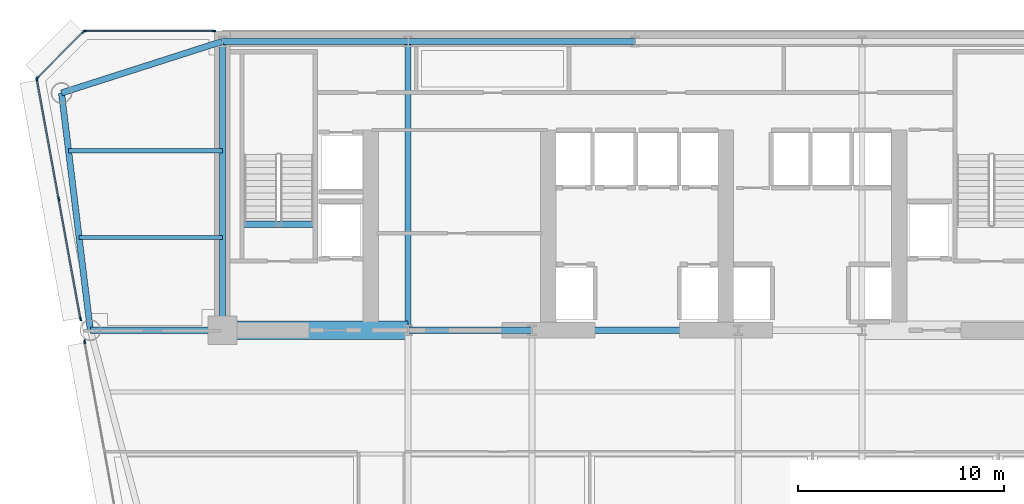
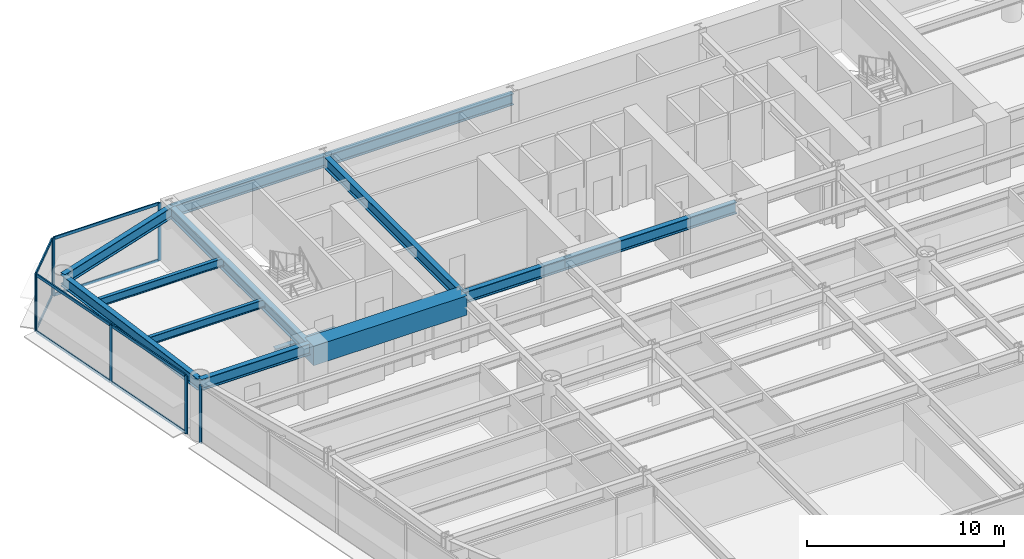
# One storey, part 5 of 14: 16 members, 13 beams, 4 elements without a shape of their own.
"""IFC4 building model written with IfcOpenShell, lengths in metres."""

from ifc_helpers import new_model, si_unit, direction, frame, origin, origin_2d, place, context, subcontext, project, spatial, rectangle, i_section, extrude, source, transform, mapped, material, layer, layer_set, material_profile, profile_set, type_object, element, aggregate, save


model = new_model("IFC4")

# Units and contexts
model_context = context("Model", 3, precision=1e-05, world=origin(), true_north=direction((0.0, 1.0)))
body_context = subcontext(model_context, "Body", "Model", "MODEL_VIEW")
ifc_project = project(units=[si_unit("LENGTHUNIT", "METRE"), si_unit("AREAUNIT", "SQUARE_METRE"), si_unit("VOLUMEUNIT", "CUBIC_METRE"), si_unit("PLANEANGLEUNIT", "RADIAN"), si_unit("MASSUNIT", "GRAM", prefix="KILO")], contexts=[model_context])

# Site, building, storey
site_placement = place(None, origin())
site = spatial("IfcSite", under=ifc_project, at=site_placement, CompositionType="ELEMENT")
building_placement = place(site_placement, origin())
building = spatial("IfcBuilding", under=site, at=building_placement, Name="Vaeldorn Concourse Tower", CompositionType="ELEMENT")
storey_placement = place(building_placement, frame((0.0, 0.0, 114.800048828125)))
storey = spatial("IfcBuildingStorey", under=building, at=storey_placement, Name="L29", CompositionType="ELEMENT", Elevation=114.800048828125)

# Beams
ifc_material_1 = material(Name="Concrete C60/75", Category="concrete")
ifc_material_profile_1 = material_profile(ifc_material_1, rectangle(XDim=0.89990234375, YDim=1.199951171875, at=origin_2d()), Name="RC 900x1200")
ifc_profile_set_1 = profile_set([ifc_material_profile_1], Name="Concrete C60/75")
beam_type_1 = type_object("IfcBeamType", Name="BM-CB-RC900", PredefinedType="BEAM", material=ifc_profile_set_1)
shared_shape_1 = source(origin(), body_context, "Body", "SweptSolid", [
    extrude(rectangle(XDim=0.89990234375, YDim=1.199951171875, at=origin_2d()), origin(), (0.0, 0.0, 1.0), 9.0),
])
beam_1_placement = place(storey_placement, frame((14.0, 36.5, 2.97998046875), z_axis=(1.0, 0.0, 0.0), x_axis=(0.0, 1.0, 0.0)))
element("IfcBeam", 1, at=beam_1_placement, inside=storey, type_object=beam_type_1, Name="Core Coupling Beam L29-1", PredefinedType="BEAM", context=body_context, shape_type="MappedRepresentation", body=[
    mapped(shared_shape_1, transform((0.0, 0.0, 0.0), scale=1.0)),
])
ifc_material_2 = material(Name="Steel S355", Category="steel")
ifc_material_profile_2 = material_profile(ifc_material_2, i_section(OverallWidth=0.300048828125, OverallDepth=0.340087890625, WebThickness=0.011962890625, FlangeThickness=0.021484375, FilletRadius=0.027099609375, at=origin_2d()), Name="HEB 340")
ifc_profile_set_2 = profile_set([ifc_material_profile_2], Name="Steel S355")
beam_type_2 = type_object("IfcBeamType", Name="BM-ST-TRIM", PredefinedType="BEAM", material=ifc_profile_set_2)
shared_shape_2 = source(origin(), body_context, "Body", "SweptSolid", [
    extrude(i_section(OverallWidth=0.300048828125, OverallDepth=0.340087890625, WebThickness=0.011962890625, FlangeThickness=0.021484375, FilletRadius=0.027099609375, at=origin_2d()), origin(), (0.0, 0.0, 1.0), 3.590087890625),
])
beam_2_placement = place(storey_placement, frame((14.929931640625, 41.639892578125, -0.39013671875), z_axis=(1.0, 0.0, 0.0), x_axis=(0.0, 1.0, 0.0)))
element("IfcBeam", 2, at=beam_2_placement, inside=storey, type_object=beam_type_2, Name="Stair Landing Trimmer Beam ST-1 L29", PredefinedType="BEAM", context=body_context, shape_type="MappedRepresentation", body=[
    mapped(shared_shape_2, transform((0.0, 0.0, 0.0), scale=1.0)),
])
ifc_material_profile_3 = material_profile(ifc_material_2, i_section(OverallWidth=0.199951171875, OverallDepth=0.5, WebThickness=0.01025390625, FlangeThickness=0.01611328125, FilletRadius=0.02099609375, at=origin_2d()), Name="IPE 500")
ifc_profile_set_3 = profile_set([ifc_material_profile_3], Name="Steel S355")
beam_type_3 = type_object("IfcBeamType", Name="BM-JS-IPE500", PredefinedType="JOIST", material=ifc_profile_set_3)
shared_shape_3 = source(origin(), body_context, "Body", "SweptSolid", [
    extrude(i_section(OverallWidth=0.199951171875, OverallDepth=0.5, WebThickness=0.01025390625, FlangeThickness=0.01611328125, FilletRadius=0.02099609375, at=origin_2d()), origin(), (0.0, 0.0, 1.0), 6.94775390625),
])
beam_3_placement = place(storey_placement, frame((7.05224609375, 41.0, 3.329833984375), z_axis=(1.0, 0.0, 0.0), x_axis=(0.0, 1.0, 0.0)))
element("IfcBeam", 3, at=beam_3_placement, inside=storey, type_object=beam_type_3, Name="Beam JS-L29-NW-410", PredefinedType="JOIST", context=body_context, shape_type="MappedRepresentation", body=[
    mapped(shared_shape_3, transform((0.0, 0.0, 0.0), scale=1.0)),
])
shared_shape_4 = source(origin(), body_context, "Body", "SweptSolid", [
    extrude(i_section(OverallWidth=0.199951171875, OverallDepth=0.5, WebThickness=0.01025390625, FlangeThickness=0.01611328125, FilletRadius=0.02099609375, at=origin_2d()), origin(), (0.0, 0.0, 1.0), 7.458984375),
])
beam_4_placement = place(storey_placement, frame((6.541015625, 45.199951171875, 3.329833984375), z_axis=(1.0, 0.0, 0.0), x_axis=(0.0, 1.0, 0.0)))
element("IfcBeam", 4, at=beam_4_placement, inside=storey, type_object=beam_type_3, Name="Beam JS-L29-NW-452", PredefinedType="JOIST", context=body_context, shape_type="MappedRepresentation", body=[
    mapped(shared_shape_4, transform((0.0, 0.0, 0.0), scale=1.0)),
])
ifc_material_profile_4 = material_profile(ifc_material_2, i_section(OverallWidth=0.300048828125, OverallDepth=0.699951171875, WebThickness=0.01708984375, FlangeThickness=0.031982421875, FilletRadius=0.027099609375, at=origin_2d()), Name="HEB 700")
ifc_profile_set_4 = profile_set([ifc_material_profile_4], Name="Steel S355")
beam_type_4 = type_object("IfcBeamType", Name="BM-PG-HEB700", PredefinedType="BEAM", material=ifc_profile_set_4)
shared_shape_5 = source(origin(), body_context, "Body", "SweptSolid", [
    extrude(i_section(OverallWidth=0.300048828125, OverallDepth=0.699951171875, WebThickness=0.01708984375, FlangeThickness=0.031982421875, FilletRadius=0.027099609375, at=origin_2d()), origin(), (0.0, 0.0, 1.0), 6.0),
])
beam_5_placement = place(storey_placement, frame((23.0, 36.5, 3.22998046875), z_axis=(1.0, 0.0, 0.0), x_axis=(0.0, 1.0, 0.0)))
element("IfcBeam", 5, at=beam_5_placement, inside=storey, type_object=beam_type_4, Name="Beam BM-L29-C-FC2-C-FC3", PredefinedType="BEAM", context=body_context, shape_type="MappedRepresentation", body=[
    mapped(shared_shape_5, transform((0.0, 0.0, 0.0), scale=1.0)),
])
shared_shape_6 = source(origin(), body_context, "Body", "SweptSolid", [
    extrude(i_section(OverallWidth=0.300048828125, OverallDepth=0.699951171875, WebThickness=0.01708984375, FlangeThickness=0.031982421875, FilletRadius=0.027099609375, at=origin_2d()), origin(), (0.0, 0.0, 1.0), 10.0),
])
beam_6_placement = place(storey_placement, frame((29.0, 36.5, 3.22998046875), z_axis=(1.0, 0.0, 0.0), x_axis=(0.0, 1.0, 0.0)))
element("IfcBeam", 6, at=beam_6_placement, inside=storey, type_object=beam_type_4, Name="Beam BM-L29-C-FC3-C-FC4", PredefinedType="BEAM", context=body_context, shape_type="MappedRepresentation", body=[
    mapped(shared_shape_6, transform((0.0, 0.0, 0.0), scale=1.0)),
])
shared_shape_7 = source(origin(), body_context, "Body", "SweptSolid", [
    extrude(i_section(OverallWidth=0.300048828125, OverallDepth=0.699951171875, WebThickness=0.01708984375, FlangeThickness=0.031982421875, FilletRadius=0.027099609375, at=origin_2d()), origin(), (0.0, 0.0, 1.0), 9.0),
])
beam_7_placement = place(storey_placement, frame((14.0, 50.5, 3.22998046875), z_axis=(1.0, 0.0, 0.0), x_axis=(0.0, 1.0, 0.0)))
element("IfcBeam", 7, at=beam_7_placement, inside=storey, type_object=beam_type_4, Name="Beam BM-L29-C-HC1-C-HC2", PredefinedType="BEAM", context=body_context, shape_type="MappedRepresentation", body=[
    mapped(shared_shape_7, transform((0.0, 0.0, 0.0), scale=1.0)),
])
shared_shape_8 = source(origin(), body_context, "Body", "SweptSolid", [
    extrude(i_section(OverallWidth=0.300048828125, OverallDepth=0.699951171875, WebThickness=0.01708984375, FlangeThickness=0.031982421875, FilletRadius=0.027099609375, at=origin_2d()), origin(), (0.0, 0.0, 1.0), 11.0),
])
beam_8_placement = place(storey_placement, frame((23.0, 50.5, 3.22998046875), z_axis=(1.0, 0.0, 0.0), x_axis=(0.0, 1.0, 0.0)))
element("IfcBeam", 8, at=beam_8_placement, inside=storey, type_object=beam_type_4, Name="Beam BM-L29-C-HC2-C-HC3", PredefinedType="BEAM", context=body_context, shape_type="MappedRepresentation", body=[
    mapped(shared_shape_8, transform((0.0, 0.0, 0.0), scale=1.0)),
])
shared_shape_9 = source(origin(), body_context, "Body", "SweptSolid", [
    extrude(i_section(OverallWidth=0.300048828125, OverallDepth=0.699951171875, WebThickness=0.01708984375, FlangeThickness=0.031982421875, FilletRadius=0.027099609375, at=origin_2d()), origin(), (0.0, 0.0, 1.0), 14.0),
])
for number, where, z_axis, x_axis, name in (
    (9, (14.0, 36.5, 3.22998046875), (0.0, 1.0, 0.0), (-1.0, 0.0, 0.0), "Beam BM-L29-C-FC1-C-HC1"),
    (10, (23.0, 36.5, 3.22998046875), (0.0, 1.0, 0.0), (-1.0, 0.0, 0.0), "Beam BM-L29-C-FC2-C-HC2"),
):
    element("IfcBeam", number, at=place(storey_placement, frame(where, z_axis=z_axis, x_axis=x_axis)), inside=storey, type_object=beam_type_4, Name=name, PredefinedType="BEAM", context=body_context, shape_type="MappedRepresentation", body=[
        mapped(shared_shape_9, transform((0.0, 0.0, 0.0), scale=1.0)),
    ])
shared_shape_10 = source(origin(), body_context, "Body", "SweptSolid", [
    extrude(i_section(OverallWidth=0.300048828125, OverallDepth=0.699951171875, WebThickness=0.01708984375, FlangeThickness=0.031982421875, FilletRadius=0.027099609375, at=origin_2d()), origin(), (0.0, 0.0, 1.0), 8.19091796875),
])
beam_9_placement = place(storey_placement, frame((6.199951171875, 48.0, 3.22998046875), z_axis=(0.952282843383, 0.305216949396, 0.0), x_axis=(-0.305216949396, 0.952282843383, 0.0)))
element("IfcBeam", 11, at=beam_9_placement, inside=storey, type_object=beam_type_4, Name="Beam BM-L29-C-NW1-C-HC1", PredefinedType="BEAM", context=body_context, shape_type="MappedRepresentation", body=[
    mapped(shared_shape_10, transform((0.0, 0.0, 0.0), scale=1.0)),
])
shared_shape_11 = source(origin(), body_context, "Body", "SweptSolid", [
    extrude(i_section(OverallWidth=0.300048828125, OverallDepth=0.699951171875, WebThickness=0.01708984375, FlangeThickness=0.031982421875, FilletRadius=0.027099609375, at=origin_2d()), origin(), (0.0, 0.0, 1.0), 11.5849609375),
])
beam_10_placement = place(storey_placement, frame((6.199951171875, 48.0, 3.22998046875), z_axis=(0.120859382899, -0.992669637677, 0.0), x_axis=(0.992669637677, 0.120859382899, 0.0)))
element("IfcBeam", 12, at=beam_10_placement, inside=storey, type_object=beam_type_4, Name="Beam BM-L29-C-NW1-C-NW2", PredefinedType="BEAM", context=body_context, shape_type="MappedRepresentation", body=[
    mapped(shared_shape_11, transform((0.0, 0.0, 0.0), scale=1.0)),
])
shared_shape_12 = source(origin(), body_context, "Body", "SweptSolid", [
    extrude(i_section(OverallWidth=0.300048828125, OverallDepth=0.699951171875, WebThickness=0.01708984375, FlangeThickness=0.031982421875, FilletRadius=0.027099609375, at=origin_2d()), origin(), (0.0, 0.0, 1.0), 6.39990234375),
])
beam_11_placement = place(storey_placement, frame((7.60009765625, 36.5, 3.22998046875), z_axis=(1.0, 0.0, 0.0), x_axis=(0.0, 1.0, 0.0)))
element("IfcBeam", 13, at=beam_11_placement, inside=storey, type_object=beam_type_4, Name="Beam BM-L29-C-NW2-C-FC1", PredefinedType="BEAM", context=body_context, shape_type="MappedRepresentation", body=[
    mapped(shared_shape_12, transform((0.0, 0.0, 0.0), scale=1.0)),
])

# Curtain wall, members
ifc_material_3 = material(Name="Anodised Bronze Aluminium", Category="aluminium")
ifc_layer = layer(ifc_material_3, 0.199951171875)
ifc_layer_set = layer_set([ifc_layer], Name="Anodised Bronze Aluminium")
curtain_wall_type = type_object("IfcCurtainWallType", Name="CW-SYS-02", PredefinedType="NOTDEFINED", material=ifc_layer_set)
curtain_wall_1_placement = place(storey_placement, origin())
curtain_wall_1 = element("IfcCurtainWall", 14, at=curtain_wall_1_placement, inside=storey, type_object=curtain_wall_type, Name="Unitised Curtain Wall CW-L29-E10-1", PredefinedType="NOTDEFINED")
ifc_material_profile_5 = material_profile(ifc_material_3, rectangle(XDim=0.074951171875, YDim=0.179931640625, at=origin_2d()), Name="CWT 75x180")
ifc_profile_set_5 = profile_set([ifc_material_profile_5], Name="Anodised Bronze Aluminium")
member_type_1 = type_object("IfcMemberType", Name="CWT-BRONZE-180", PredefinedType="USERDEFINED", material=ifc_profile_set_5)
shared_shape_13 = source(origin(), body_context, "Body", "SweptSolid", [
    extrude(rectangle(XDim=0.074951171875, YDim=0.179931640625, at=origin_2d()), origin(), (0.0, 0.0, 1.0), 3.10302734375),
])
member_1_placement = place(storey_placement, frame((7.2470703125, 50.947021484375, 0.037353515625), z_axis=(-0.707106781187, -0.707106781187, 0.0), x_axis=(0.707106781187, -0.707106781187, 0.0)))
member_1 = element("IfcMember", 15, at=member_1_placement, type_object=member_type_1, Name="CW-02 transom 1.1", ObjectType="TRANSOM", PredefinedType="USERDEFINED", context=body_context, shape_type="MappedRepresentation", body=[
    mapped(shared_shape_13, transform((0.0, 0.0, 0.0), scale=1.0)),
])
member_2_placement = place(storey_placement, frame((7.2470703125, 50.947021484375, 3.54248046875), z_axis=(-0.707106781187, -0.707106781187, 0.0), x_axis=(0.707106781187, -0.707106781187, 0.0)))
member_2 = element("IfcMember", 16, at=member_2_placement, type_object=member_type_1, Name="CW-02 transom 1.2", ObjectType="TRANSOM", PredefinedType="USERDEFINED", context=body_context, shape_type="MappedRepresentation", body=[
    mapped(shared_shape_13, transform((0.0, 0.0, 0.0), scale=1.0)),
])

curtain_wall_2_placement = place(storey_placement, origin())
curtain_wall_2 = element("IfcCurtainWall", 17, at=curtain_wall_2_placement, inside=storey, type_object=curtain_wall_type, Name="Unitised Curtain Wall CW-L29-E09-2", PredefinedType="NOTDEFINED")
shared_shape_14 = source(origin(), body_context, "Body", "SweptSolid", [
    extrude(rectangle(XDim=0.074951171875, YDim=0.179931640625, at=origin_2d()), origin(), (0.0, 0.0, 1.0), 6.179931640625),
])
member_3_placement = place(storey_placement, frame((13.554931640625, 51.0, 0.037353515625), z_axis=(-1.0, 0.0, 0.0), x_axis=(0.0, -1.0, 0.0)))
member_3 = element("IfcMember", 18, at=member_3_placement, type_object=member_type_1, Name="CW-02 transom 1.1", ObjectType="TRANSOM", PredefinedType="USERDEFINED", context=body_context, shape_type="MappedRepresentation", body=[
    mapped(shared_shape_14, transform((0.0, 0.0, 0.0), scale=1.0)),
])
member_4_placement = place(storey_placement, frame((13.554931640625, 51.0, 3.54248046875), z_axis=(-1.0, 0.0, 0.0), x_axis=(0.0, -1.0, 0.0)))
member_4 = element("IfcMember", 19, at=member_4_placement, type_object=member_type_1, Name="CW-02 transom 1.2", ObjectType="TRANSOM", PredefinedType="USERDEFINED", context=body_context, shape_type="MappedRepresentation", body=[
    mapped(shared_shape_14, transform((0.0, 0.0, 0.0), scale=1.0)),
])
ifc_material_profile_6 = material_profile(ifc_material_3, rectangle(XDim=0.074951171875, YDim=0.18994140625, at=origin_2d()), Name="CWM 75x190")
ifc_profile_set_6 = profile_set([ifc_material_profile_6], Name="Anodised Bronze Aluminium")
member_type_2 = type_object("IfcMemberType", Name="CWM-BRONZE-190", PredefinedType="MULLION", material=ifc_profile_set_6)
shared_shape_15 = source(origin(), body_context, "Body", "SweptSolid", [
    extrude(rectangle(XDim=0.074951171875, YDim=0.18994140625, at=origin_2d()), origin(), (0.0, 0.0, 1.0), 3.579833984375),
])
member_5_placement = place(storey_placement, frame((13.592529296875, 51.0, 0.0), z_axis=(0.0, 0.0, 1.0), x_axis=(0.0, -1.0, 0.0)))
member_5 = element("IfcMember", 20, at=member_5_placement, type_object=member_type_2, Name="CW-02 mullion 1", PredefinedType="MULLION", context=body_context, shape_type="MappedRepresentation", body=[
    mapped(shared_shape_15, transform((0.0, 0.0, 0.0), scale=1.0)),
])
member_6_placement = place(storey_placement, frame((7.33740234375, 51.0, 0.0), z_axis=(0.0, 0.0, 1.0), x_axis=(0.0, -1.0, 0.0)))
member_6 = element("IfcMember", 21, at=member_6_placement, type_object=member_type_2, Name="CW-02 mullion 2", PredefinedType="MULLION", context=body_context, shape_type="MappedRepresentation", body=[
    mapped(shared_shape_15, transform((0.0, 0.0, 0.0), scale=1.0)),
])
aggregate(curtain_wall_2, [member_5, member_6, member_3, member_4])

# Member
member_7_placement = place(storey_placement, frame((7.2734375, 50.973388671875, 0.0), z_axis=(0.0, 0.0, 1.0), x_axis=(0.707106781187, -0.707106781187, 0.0)))
member_7 = element("IfcMember", 22, at=member_7_placement, type_object=member_type_2, Name="CW-02 mullion 1", PredefinedType="MULLION", context=body_context, shape_type="MappedRepresentation", body=[
    mapped(shared_shape_15, transform((0.0, 0.0, 0.0), scale=1.0)),
])

member_8_placement = place(storey_placement, frame((5.026611328125, 48.7265625, 0.0), z_axis=(0.0, 0.0, 1.0), x_axis=(0.707106781187, -0.707106781187, 0.0)))
member_8 = element("IfcMember", 23, at=member_8_placement, type_object=member_type_2, Name="CW-02 mullion 2", PredefinedType="MULLION", context=body_context, shape_type="MappedRepresentation", body=[
    mapped(shared_shape_15, transform((0.0, 0.0, 0.0), scale=1.0)),
])

aggregate(curtain_wall_1, [member_7, member_8, member_1, member_2])

# Curtain wall, members
curtain_wall_3_placement = place(storey_placement, origin())
curtain_wall_3 = element("IfcCurtainWall", 24, at=curtain_wall_3_placement, inside=storey, type_object=curtain_wall_type, Name="Unitised Curtain Wall CW-L29-E11-1", PredefinedType="NOTDEFINED")
member_9_placement = place(storey_placement, frame((5.0068359375, 48.6630859375, 0.0), z_axis=(0.0, 0.0, 1.0), x_axis=(0.983828381255, 0.179113696395, 0.0)))
member_9 = element("IfcMember", 25, at=member_9_placement, type_object=member_type_2, Name="CW-02 mullion 1", PredefinedType="MULLION", context=body_context, shape_type="MappedRepresentation", body=[
    mapped(shared_shape_15, transform((0.0, 0.0, 0.0), scale=1.0)),
])
member_10_placement = place(storey_placement, frame((6.0634765625, 42.85888671875, 0.0), z_axis=(0.0, 0.0, 1.0), x_axis=(0.983828381255, 0.179113696395, 0.0)))
member_10 = element("IfcMember", 26, at=member_10_placement, type_object=member_type_2, Name="CW-02 mullion 2", PredefinedType="MULLION", context=body_context, shape_type="MappedRepresentation", body=[
    mapped(shared_shape_15, transform((0.0, 0.0, 0.0), scale=1.0)),
])
member_11_placement = place(storey_placement, frame((7.1201171875, 37.054931640625, 0.0), z_axis=(0.0, 0.0, 1.0), x_axis=(0.983828381255, 0.179113696395, 0.0)))
member_11 = element("IfcMember", 27, at=member_11_placement, type_object=member_type_2, Name="CW-02 mullion 3", PredefinedType="MULLION", context=body_context, shape_type="MappedRepresentation", body=[
    mapped(shared_shape_15, transform((0.0, 0.0, 0.0), scale=1.0)),
])

# Curtain wall, member
curtain_wall_4_placement = place(storey_placement, origin())
curtain_wall_4 = element("IfcCurtainWall", 28, at=curtain_wall_4_placement, inside=storey, type_object=curtain_wall_type, Name="Unitised Curtain Wall CW-L29-E11-2", PredefinedType="NOTDEFINED")
member_12_placement = place(storey_placement, frame((7.322021484375, 35.945068359375, 0.0), z_axis=(0.0, 0.0, 1.0), x_axis=(0.983827667432, 0.179117617213, 0.0)))
member_12 = element("IfcMember", 29, at=member_12_placement, type_object=member_type_2, Name="CW-02 mullion 1", PredefinedType="MULLION", context=body_context, shape_type="MappedRepresentation", body=[
    mapped(shared_shape_15, transform((0.0, 0.0, 0.0), scale=1.0)),
])
aggregate(curtain_wall_4, [member_12])

# Member
shared_shape_16 = source(origin(), body_context, "Body", "SweptSolid", [
    extrude(rectangle(XDim=0.074951171875, YDim=0.179931640625, at=origin_2d()), origin(), (0.0, 0.0, 1.0), 5.824462890625),
])
member_13_placement = place(storey_placement, frame((5.013427734375, 48.626220703125, 0.037353515625), z_axis=(0.17911044285, -0.983828973583, 0.0), x_axis=(0.983828973583, 0.17911044285, 0.0)))
member_13 = element("IfcMember", 30, at=member_13_placement, type_object=member_type_1, Name="CW-02 transom 1.1", ObjectType="TRANSOM", PredefinedType="USERDEFINED", context=body_context, shape_type="MappedRepresentation", body=[
    mapped(shared_shape_16, transform((0.0, 0.0, 0.0), scale=1.0)),
])

member_14_placement = place(storey_placement, frame((5.013427734375, 48.626220703125, 3.54248046875), z_axis=(0.17911044285, -0.983828973583, 0.0), x_axis=(0.983828973583, 0.17911044285, 0.0)))
member_14 = element("IfcMember", 31, at=member_14_placement, type_object=member_type_1, Name="CW-02 transom 1.2", ObjectType="TRANSOM", PredefinedType="USERDEFINED", context=body_context, shape_type="MappedRepresentation", body=[
    mapped(shared_shape_16, transform((0.0, 0.0, 0.0), scale=1.0)),
])

member_15_placement = place(storey_placement, frame((6.070068359375, 42.822021484375, 0.037353515625), z_axis=(0.17911044285, -0.983828973583, 0.0), x_axis=(0.983828973583, 0.17911044285, 0.0)))
member_15 = element("IfcMember", 32, at=member_15_placement, type_object=member_type_1, Name="CW-02 transom 2.1", ObjectType="TRANSOM", PredefinedType="USERDEFINED", context=body_context, shape_type="MappedRepresentation", body=[
    mapped(shared_shape_16, transform((0.0, 0.0, 0.0), scale=1.0)),
])

member_16_placement = place(storey_placement, frame((6.070068359375, 42.822021484375, 3.54248046875), z_axis=(0.17911044285, -0.983828973583, 0.0), x_axis=(0.983828973583, 0.17911044285, 0.0)))
member_16 = element("IfcMember", 33, at=member_16_placement, type_object=member_type_1, Name="CW-02 transom 2.2", ObjectType="TRANSOM", PredefinedType="USERDEFINED", context=body_context, shape_type="MappedRepresentation", body=[
    mapped(shared_shape_16, transform((0.0, 0.0, 0.0), scale=1.0)),
])

aggregate(curtain_wall_3, [member_9, member_10, member_11, member_13, member_14, member_15, member_16])

save(model, "model.ifc")
